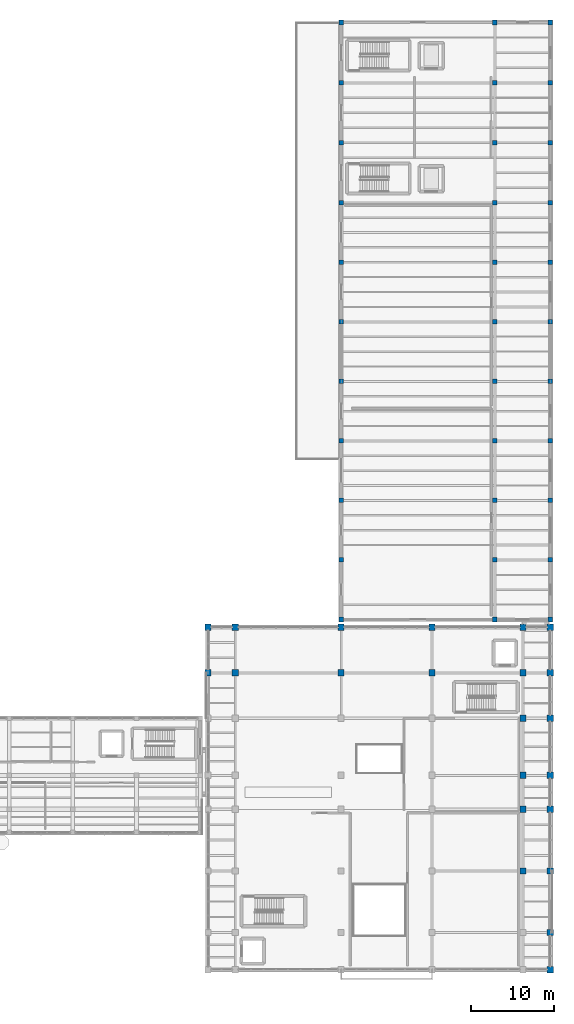
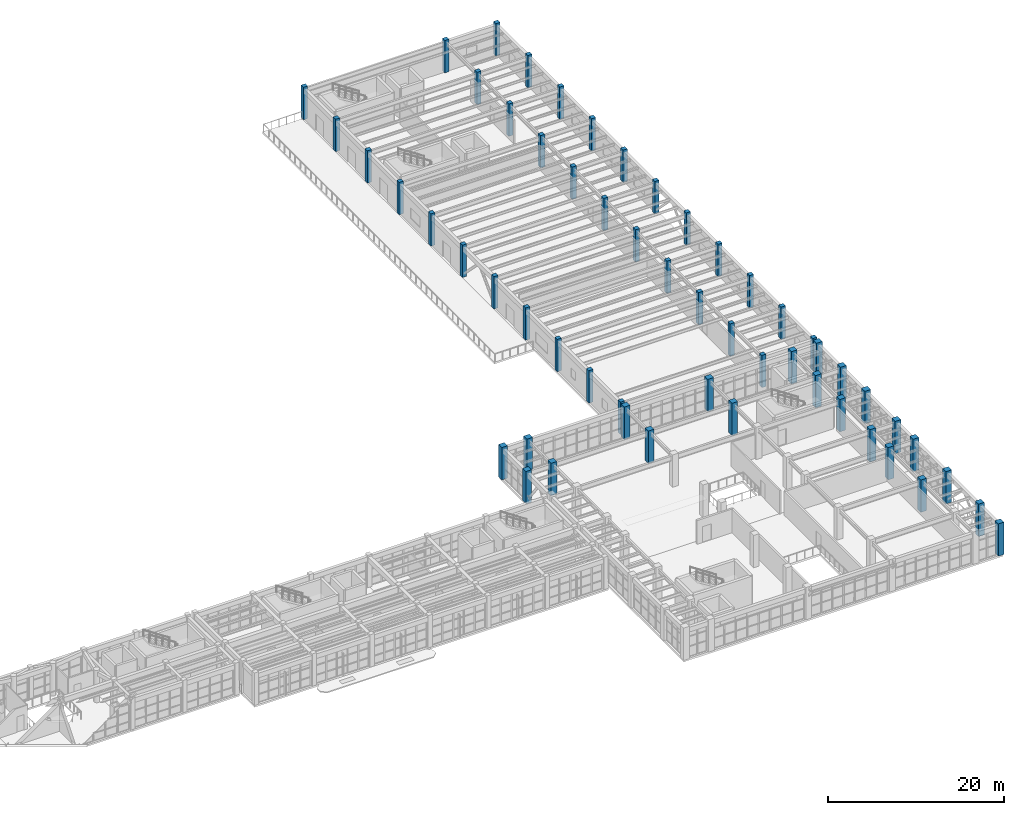
# One storey, part 2 of 85: 55 columns.
"""IFC4 building model written with IfcOpenShell, lengths in metres."""

from ifc_helpers import new_model, si_unit, direction, frame, origin, origin_2d, place, context, subcontext, project, spatial, rectangle, extrude, material, material_profile, profile_set, type_object, element, save


model = new_model("IFC4")

# Units and contexts
model_context = context("Model", 3, precision=1e-05, world=origin(), true_north=direction((0.0, 1.0)))
body_context = subcontext(model_context, "Body", "Model", "MODEL_VIEW")
ifc_project = project(units=[si_unit("LENGTHUNIT", "METRE"), si_unit("AREAUNIT", "SQUARE_METRE"), si_unit("VOLUMEUNIT", "CUBIC_METRE"), si_unit("PLANEANGLEUNIT", "RADIAN"), si_unit("MASSUNIT", "GRAM", prefix="KILO")], contexts=[model_context])

# Site, building, storey
site_placement = place(None, origin())
site = spatial("IfcSite", under=ifc_project, at=site_placement, CompositionType="ELEMENT")
building_placement = place(site_placement, origin())
building = spatial("IfcBuilding", under=site, at=building_placement, Name="Candilejo Ridge Gondola Terminal", CompositionType="ELEMENT")
storey_placement = place(building_placement, frame((0.0, 0.0, 4.5)))
storey = spatial("IfcBuildingStorey", under=building, at=storey_placement, Name="L01", CompositionType="ELEMENT", Elevation=4.5)

# Columns
ifc_material_1 = material(Name="Concrete f'c 35 MPa (C35/45)", Category="concrete")
ifc_material_profile_1 = material_profile(ifc_material_1, rectangle(XDim=0.550048828125, YDim=0.550048828125, at=origin_2d()))
ifc_profile_set_1 = profile_set([ifc_material_profile_1], Name="Concrete f'c 35 MPa (C35/45)")
column_type_1 = type_object("IfcColumnType", Name="STR-COL-RC550", PredefinedType="COLUMN", material=ifc_profile_set_1)
for number, where, z_axis, x_axis, name in (
    (1, (150.0, 48.64990234375, 0.0), (0.0, 0.0, 1.0), (1.0, 0.0, 0.0), "Column V5 L01 X23-Y10"),
    (2, (150.0, 55.85009765625, 0.0), (0.0, 0.0, 1.0), (1.0, 0.0, 0.0), "Column V5 L01 X23-Y11"),
    (3, (150.0, 63.050048828125, 0.0), (0.0, 0.0, 1.0), (1.0, 0.0, 0.0), "Column V5 L01 X23-Y12"),
    (4, (150.0, 70.25, 0.0), (0.0, 0.0, 1.0), (1.0, 0.0, 0.0), "Column V5 L01 X23-Y13"),
    (5, (150.0, 77.449951171875, 0.0), (0.0, 0.0, 1.0), (1.0, 0.0, 0.0), "Column V5 L01 X23-Y14"),
    (6, (150.0, 84.64990234375, 0.0), (0.0, 0.0, 1.0), (1.0, 0.0, 0.0), "Column V5 L01 X23-Y15"),
    (7, (150.0, 91.85009765625, 0.0), (0.0, 0.0, 1.0), (1.0, 0.0, 0.0), "Column V5 L01 X23-Y16"),
    (8, (150.0, 99.050048828125, 0.0), (0.0, 0.0, 1.0), (1.0, 0.0, 0.0), "Column V5 L01 X23-Y17"),
    (9, (150.0, 106.300048828125, 0.0), (0.0, 0.0, 1.0), (1.0, 0.0, 0.0), "Column V5 L01 X23-Y18"),
    (10, (150.0, 113.550048828125, 0.0), (0.0, 0.0, 1.0), (1.0, 0.0, 0.0), "Column V5 L01 X23-Y19"),
    (11, (150.0, 120.85009765625, 0.0), (0.0, 0.0, 1.0), (1.0, 0.0, 0.0), "Column V5 L01 X23-Y20"),
    (12, (168.60009765625, 48.64990234375, 0.0), (0.0, 0.0, 1.0), (1.0, 0.0, 0.0), "Column V5 L01 X25-Y10"),
    (13, (168.60009765625, 55.85009765625, 0.0), (0.0, 0.0, 1.0), (1.0, 0.0, 0.0), "Column V5 L01 X25-Y11"),
    (14, (168.60009765625, 63.050048828125, 0.0), (0.0, 0.0, 1.0), (1.0, 0.0, 0.0), "Column V5 L01 X25-Y12"),
    (15, (168.60009765625, 70.25, 0.0), (0.0, 0.0, 1.0), (1.0, 0.0, 0.0), "Column V5 L01 X25-Y13"),
    (16, (168.60009765625, 77.449951171875, 0.0), (0.0, 0.0, 1.0), (1.0, 0.0, 0.0), "Column V5 L01 X25-Y14"),
    (17, (168.60009765625, 84.64990234375, 0.0), (0.0, 0.0, 1.0), (1.0, 0.0, 0.0), "Column V5 L01 X25-Y15"),
    (18, (168.60009765625, 91.85009765625, 0.0), (0.0, 0.0, 1.0), (1.0, 0.0, 0.0), "Column V5 L01 X25-Y16"),
    (19, (168.60009765625, 99.050048828125, 0.0), (0.0, 0.0, 1.0), (1.0, 0.0, 0.0), "Column V5 L01 X25-Y17"),
    (20, (168.60009765625, 106.300048828125, 0.0), (0.0, 0.0, 1.0), (1.0, 0.0, 0.0), "Column V5 L01 X25-Y18"),
    (21, (168.60009765625, 113.550048828125, 0.0), (0.0, 0.0, 1.0), (1.0, 0.0, 0.0), "Column V5 L01 X25-Y19"),
    (22, (168.60009765625, 120.85009765625, 0.0), (0.0, 0.0, 1.0), (1.0, 0.0, 0.0), "Column V5 L01 X25-Y20"),
    (23, (175.300048828125, 48.64990234375, 0.0), (0.0, 0.0, 1.0), (1.0, 0.0, 0.0), "Column V5 L01 X27-Y10"),
    (24, (175.300048828125, 55.85009765625, 0.0), (0.0, 0.0, 1.0), (1.0, 0.0, 0.0), "Column V5 L01 X27-Y11"),
    (25, (175.300048828125, 63.050048828125, 0.0), (0.0, 0.0, 1.0), (1.0, 0.0, 0.0), "Column V5 L01 X27-Y12"),
    (26, (175.300048828125, 70.25, 0.0), (0.0, 0.0, 1.0), (1.0, 0.0, 0.0), "Column V5 L01 X27-Y13"),
    (27, (175.300048828125, 77.449951171875, 0.0), (0.0, 0.0, 1.0), (1.0, 0.0, 0.0), "Column V5 L01 X27-Y14"),
    (28, (175.300048828125, 84.64990234375, 0.0), (0.0, 0.0, 1.0), (1.0, 0.0, 0.0), "Column V5 L01 X27-Y15"),
    (29, (175.300048828125, 91.85009765625, 0.0), (0.0, 0.0, 1.0), (1.0, 0.0, 0.0), "Column V5 L01 X27-Y16"),
    (30, (175.300048828125, 99.050048828125, 0.0), (0.0, 0.0, 1.0), (1.0, 0.0, 0.0), "Column V5 L01 X27-Y17"),
    (31, (175.300048828125, 106.300048828125, 0.0), (0.0, 0.0, 1.0), (1.0, 0.0, 0.0), "Column V5 L01 X27-Y18"),
    (32, (175.300048828125, 113.550048828125, 0.0), (0.0, 0.0, 1.0), (1.0, 0.0, 0.0), "Column V5 L01 X27-Y19"),
    (33, (175.300048828125, 120.85009765625, 0.0), (0.0, 0.0, 1.0), (1.0, 0.0, 0.0), "Column V5 L01 X27-Y20"),
):
    element("IfcColumn", number, at=place(storey_placement, frame(where, z_axis=z_axis, x_axis=x_axis)), inside=storey, type_object=column_type_1, Name=name, PredefinedType="COLUMN", context=body_context, shape_type="SweptSolid", body=[
        extrude(rectangle(XDim=0.550048828125, YDim=0.550048828125, at=origin_2d()), origin(), (0.0, 0.0, 1.0), 4.5),
    ])
ifc_material_2 = material(Name="Concrete f'c 35 MPa (C35/45)", Category="concrete")
ifc_material_profile_2 = material_profile(ifc_material_2, rectangle(XDim=0.75, YDim=0.75, at=origin_2d()))
ifc_profile_set_2 = profile_set([ifc_material_profile_2], Name="Concrete f'c 35 MPa (C35/45)")
column_type_2 = type_object("IfcColumnType", Name="STR-COL-RC750", PredefinedType="COLUMN", material=ifc_profile_set_2)
for number, where, z_axis, x_axis, name in (
    (34, (133.89990234375, 42.199951171875, 0.0), (0.0, 0.0, 1.0), (1.0, 0.0, 0.0), "Column V4 L01 X21-Y08"),
    (35, (133.89990234375, 47.699951171875, 0.0), (0.0, 0.0, 1.0), (1.0, 0.0, 0.0), "Column V4 L01 X21-Y09"),
    (36, (137.199951171875, 42.199951171875, 0.0), (0.0, 0.0, 1.0), (1.0, 0.0, 0.0), "Column V4 L01 X22-Y08"),
    (37, (137.199951171875, 47.699951171875, 0.0), (0.0, 0.0, 1.0), (1.0, 0.0, 0.0), "Column V4 L01 X22-Y09"),
    (38, (150.0, 42.199951171875, 0.0), (0.0, 0.0, 1.0), (1.0, 0.0, 0.0), "Column V4 L01 X23-Y08"),
    (39, (150.0, 47.699951171875, 0.0), (0.0, 0.0, 1.0), (1.0, 0.0, 0.0), "Column V4 L01 X23-Y09"),
    (40, (161.0, 42.199951171875, 0.0), (0.0, 0.0, 1.0), (1.0, 0.0, 0.0), "Column V4 L01 X24-Y08"),
    (41, (161.0, 47.699951171875, 0.0), (0.0, 0.0, 1.0), (1.0, 0.0, 0.0), "Column V4 L01 X24-Y09"),
    (42, (172.0, 18.25, 0.0), (0.0, 0.0, 1.0), (1.0, 0.0, 0.0), "Column V4 L01 X26-Y03"),
    (43, (172.0, 25.699951171875, 0.0), (0.0, 0.0, 1.0), (1.0, 0.0, 0.0), "Column V4 L01 X26-Y05"),
    (44, (172.0, 29.800048828125, 0.0), (0.0, 0.0, 1.0), (1.0, 0.0, 0.0), "Column V4 L01 X26-Y06"),
    (45, (172.0, 36.699951171875, 0.0), (0.0, 0.0, 1.0), (1.0, 0.0, 0.0), "Column V4 L01 X26-Y07"),
    (46, (172.0, 42.199951171875, 0.0), (0.0, 0.0, 1.0), (1.0, 0.0, 0.0), "Column V4 L01 X26-Y08"),
    (47, (172.0, 47.699951171875, 0.0), (0.0, 0.0, 1.0), (1.0, 0.0, 0.0), "Column V4 L01 X26-Y09"),
    (48, (175.300048828125, 6.300048828125, 0.0), (0.0, 0.0, 1.0), (1.0, 0.0, 0.0), "Column V4 L01 X27-Y01"),
    (49, (175.300048828125, 10.800048828125, 0.0), (0.0, 0.0, 1.0), (1.0, 0.0, 0.0), "Column V4 L01 X27-Y02"),
    (50, (175.300048828125, 18.25, 0.0), (0.0, 0.0, 1.0), (1.0, 0.0, 0.0), "Column V4 L01 X27-Y03"),
    (51, (175.300048828125, 25.699951171875, 0.0), (0.0, 0.0, 1.0), (1.0, 0.0, 0.0), "Column V4 L01 X27-Y05"),
    (52, (175.300048828125, 29.800048828125, 0.0), (0.0, 0.0, 1.0), (1.0, 0.0, 0.0), "Column V4 L01 X27-Y06"),
    (53, (175.300048828125, 36.699951171875, 0.0), (0.0, 0.0, 1.0), (1.0, 0.0, 0.0), "Column V4 L01 X27-Y07"),
    (54, (175.300048828125, 42.199951171875, 0.0), (0.0, 0.0, 1.0), (1.0, 0.0, 0.0), "Column V4 L01 X27-Y08"),
    (55, (175.300048828125, 47.699951171875, 0.0), (0.0, 0.0, 1.0), (1.0, 0.0, 0.0), "Column V4 L01 X27-Y09"),
):
    element("IfcColumn", number, at=place(storey_placement, frame(where, z_axis=z_axis, x_axis=x_axis)), inside=storey, type_object=column_type_2, Name=name, PredefinedType="COLUMN", context=body_context, shape_type="SweptSolid", body=[
        extrude(rectangle(XDim=0.75, YDim=0.75, at=origin_2d()), origin(), (0.0, 0.0, 1.0), 4.5),
    ])

save(model, "model.ifc")
